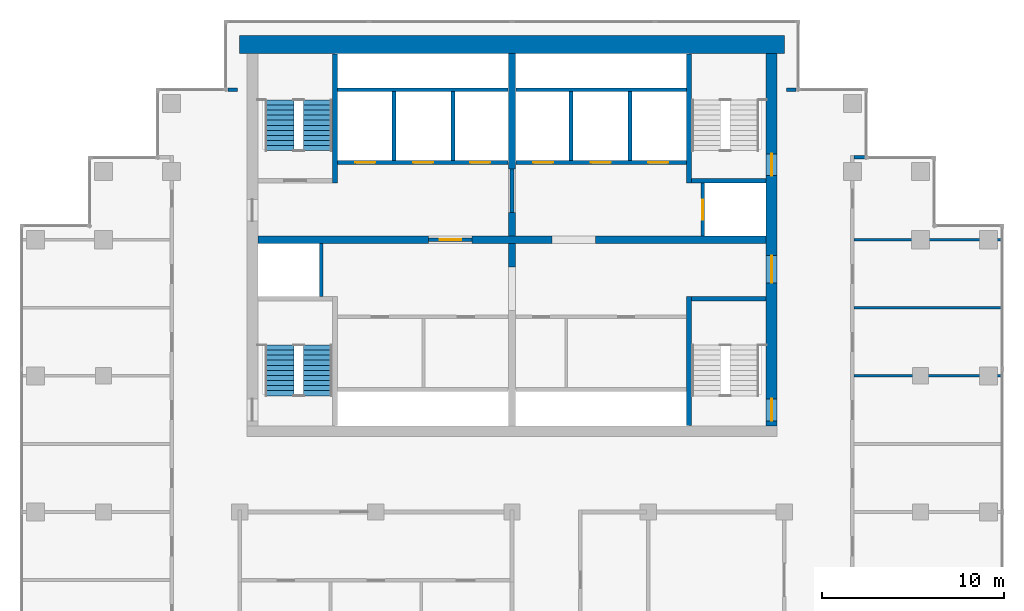
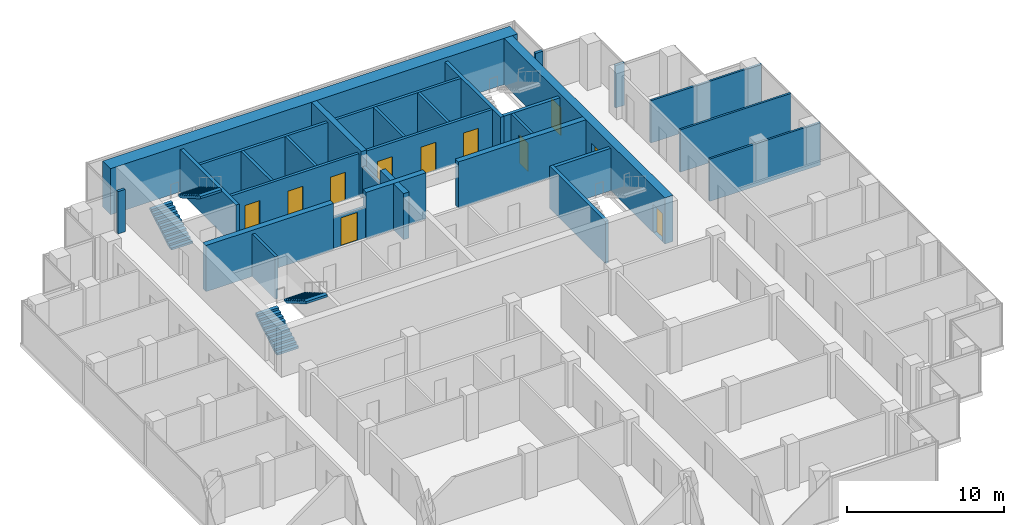
# One storey, part 10 of 12: 31 walls, 11 doors, 4 stair flights, 11 openings, 2 elements without a shape of their own.
"""IFC4 building model written with IfcOpenShell, lengths in metres."""

from ifc_helpers import new_model, si_unit, direction, frame, frame_2d, origin, place, context, subcontext, project, spatial, polyline, rectangle, outline, extrude, material, layer, layer_set, type_object, element, fill, aggregate, save


model = new_model("IFC4")

# Units and contexts
model_context = context("Model", 3, precision=1e-05, world=origin(), true_north=direction((0.0, 1.0)))
body_context = subcontext(model_context, "Body", "Model", "MODEL_VIEW")
ifc_project = project(units=[si_unit("LENGTHUNIT", "METRE"), si_unit("AREAUNIT", "SQUARE_METRE"), si_unit("VOLUMEUNIT", "CUBIC_METRE"), si_unit("PLANEANGLEUNIT", "RADIAN"), si_unit("MASSUNIT", "GRAM", prefix="KILO")], contexts=[model_context])

# Site, building, storey
site_placement = place(None, origin())
site = spatial("IfcSite", under=ifc_project, at=site_placement, CompositionType="ELEMENT")
building_placement = place(site_placement, origin())
building = spatial("IfcBuilding", under=site, at=building_placement, Name="Pilkhan Gate Tower", CompositionType="ELEMENT")
storey_placement = place(building_placement, frame((0.0, 0.0, 188.699951171875)))
storey = spatial("IfcBuildingStorey", under=building, at=storey_placement, Name="L48", CompositionType="ELEMENT", Elevation=188.699951171875)

# Wall
ifc_material_1 = material(Name="Concrete C50/60", Category="concrete")
ifc_layer_1 = layer(ifc_material_1, 1.0)
ifc_layer_set_1 = layer_set([ifc_layer_1], Name="Core wall CW1000 C50/60")
wall_type_1 = type_object("IfcWallType", Name="Core wall CW1000 C50/60", PredefinedType="SHEAR", material=ifc_layer_set_1)
wall_1_placement = place(storey_placement, frame((90.0, 93.25, 0.0), z_axis=(0.0, 0.0, 1.0), x_axis=(-1.0, 0.0, 0.0)))
element("IfcWall", 1, at=wall_1_placement, inside=storey, type_object=wall_type_1, Name="Core wall N L48", PredefinedType="SHEAR", context=body_context, shape_type="SweptSolid", body=[
    extrude(rectangle(XDim=30.0, YDim=1.0, at=frame_2d((15.0, 0.0))), origin(), (0.0, 0.0, 1.0), 3.60009765625),
])

# Wall, openings, doors
ifc_layer_2 = layer(ifc_material_1, 0.60009765625)
ifc_layer_set_2 = layer_set([ifc_layer_2], Name="Core wall CW600 C50/60")
wall_type_2 = type_object("IfcWallType", Name="Core wall CW600 C50/60", PredefinedType="SHEAR", material=ifc_layer_set_2)
wall_2_placement = place(storey_placement, frame((89.300048828125, 72.25, 0.0), z_axis=(0.0, 0.0, 1.0), x_axis=(0.0, 1.0, 0.0)))
wall_2 = element("IfcWall", 2, at=wall_2_placement, inside=storey, type_object=wall_type_2, Name="Core wall E L48", PredefinedType="SHEAR", context=body_context, shape_type="SweptSolid", body=[
    extrude(rectangle(XDim=20.5, YDim=0.60009765625, at=frame_2d((10.25, 0.0))), origin(), (0.0, 0.0, 1.0), 3.60009765625),
])
opening_1_placement = place(wall_2_placement, frame((0.27490234375, 0.0, 0.0)))
opening_1 = element("IfcOpeningElement", 3, at=opening_1_placement, cuts=wall_2, Name="Opening L48-03", PredefinedType="OPENING", context=body_context, shape_type="SweptSolid", body=[
    extrude(rectangle(XDim=1.199951171875, YDim=2.199951171875, at=frame_2d((0.60009765625, 1.10009765625))), frame((0.0, 0.31005859375, 0.0), z_axis=(0.0, -1.0, 0.0), x_axis=(1.0, 0.0, 0.0)), (0.0, 0.0, 1.0), 0.6201171875),
])
opening_2_placement = place(wall_2_placement, frame((13.77490234375, 0.0, 0.0)))
opening_2 = element("IfcOpeningElement", 4, at=opening_2_placement, cuts=wall_2, Name="Opening L48-05", PredefinedType="OPENING", context=body_context, shape_type="SweptSolid", body=[
    extrude(rectangle(XDim=1.199951171875, YDim=2.199951171875, at=frame_2d((0.60009765625, 1.10009765625))), frame((0.0, 0.31005859375, 0.0), z_axis=(0.0, -1.0, 0.0), x_axis=(1.0, 0.0, 0.0)), (0.0, 0.0, 1.0), 0.6201171875),
])
opening_3_placement = place(wall_2_placement, frame((7.875, 0.0, 0.0)))
opening_3 = element("IfcOpeningElement", 5, at=opening_3_placement, cuts=wall_2, Name="Opening L48-06", PredefinedType="OPENING", context=body_context, shape_type="SweptSolid", body=[
    extrude(rectangle(XDim=1.5, YDim=2.199951171875, at=frame_2d((0.75, 1.10009765625))), frame((0.0, 0.31005859375, 0.0), z_axis=(0.0, -1.0, 0.0), x_axis=(1.0, 0.0, 0.0)), (0.0, 0.0, 1.0), 0.6201171875),
])
ifc_material_2 = material(Name="Steel framed glazed door, 60 minute fire resisting", Category="steel")
door_type_1 = type_object("IfcDoorType", Name="Lobby door D09 1500x2200", OperationType="DOUBLE_DOOR_SINGLE_SWING", PredefinedType="DOOR", material=ifc_material_2)
door_1_placement = place(opening_3_placement, origin())
door_1 = element("IfcDoor", 6, at=door_1_placement, inside=storey, type_object=door_type_1, Name="Core door", OperationType="DOUBLE_DOOR_SINGLE_SWING", OverallHeight=2.199951171875, OverallWidth=1.5, PredefinedType="DOOR", context=body_context, shape_type="SweptSolid", body=[
    extrude(rectangle(XDim=1.5, YDim=2.199951171875, at=frame_2d((0.75, 1.10009765625))), frame((0.0, 0.02490234375, 0.0), z_axis=(0.0, -1.0, 0.0), x_axis=(1.0, 0.0, 0.0)), (0.0, 0.0, 1.0), 0.050048828125),
])
fill(opening_3, door_1)
ifc_material_3 = material(Name="Steel door, 120 minute fire resisting, panic bar", Category="steel")
door_type_2 = type_object("IfcDoorType", Name="Stair door D11 1200x2200", OperationType="SINGLE_SWING_LEFT", PredefinedType="DOOR", material=ifc_material_3)
door_2_placement = place(opening_1_placement, origin())
door_2 = element("IfcDoor", 7, at=door_2_placement, inside=storey, type_object=door_type_2, Name="Stair ST1 door", OperationType="SINGLE_SWING_RIGHT", OverallHeight=2.199951171875, OverallWidth=1.199951171875, PredefinedType="DOOR", context=body_context, shape_type="SweptSolid", body=[
    extrude(rectangle(XDim=1.199951171875, YDim=2.199951171875, at=frame_2d((0.60009765625, 1.10009765625))), frame((0.0, 0.02490234375, 0.0), z_axis=(0.0, -1.0, 0.0), x_axis=(1.0, 0.0, 0.0)), (0.0, 0.0, 1.0), 0.050048828125),
])
fill(opening_1, door_2)
door_3_placement = place(opening_2_placement, origin())
door_3 = element("IfcDoor", 8, at=door_3_placement, inside=storey, type_object=door_type_2, Name="Stair ST4 door", OperationType="SINGLE_SWING_LEFT", OverallHeight=2.199951171875, OverallWidth=1.199951171875, PredefinedType="DOOR", context=body_context, shape_type="SweptSolid", body=[
    extrude(rectangle(XDim=1.199951171875, YDim=2.199951171875, at=frame_2d((0.60009765625, 1.10009765625))), frame((0.0, 0.02490234375, 0.0), z_axis=(0.0, -1.0, 0.0), x_axis=(1.0, 0.0, 0.0)), (0.0, 0.0, 1.0), 0.050048828125),
])
fill(opening_2, door_3)

# Walls
ifc_material_4 = material(Name="Dense blockwork", Category="masonry")
ifc_layer_3 = layer(ifc_material_4, 0.199951171875)
ifc_layer_set_3 = layer_set([ifc_layer_3], Name="Corridor wall FW200")
wall_type_3 = type_object("IfcWallType", Name="Corridor wall FW200", PredefinedType="PARTITIONING", material=ifc_layer_set_3)
wall_3_placement = place(storey_placement, frame((93.85009765625, 87.030029296875, 0.0), z_axis=(0.0, 0.0, 1.0), x_axis=(1.0, 0.0, 0.0)))
element("IfcWall", 9, at=wall_3_placement, inside=storey, type_object=wall_type_3, Name="Partition L48", PredefinedType="PARTITIONING", context=body_context, shape_type="SweptSolid", body=[
    extrude(rectangle(XDim=0.664794921875, YDim=0.199951171875, at=frame_2d((0.33251953125, 0.0))), origin(), (0.0, 0.0, 1.0), 3.300048828125),
])
for number, where, z_axis, x_axis, name in (
    (10, (59.35498046875, 90.764892578125, 0.0), (0.0, 0.0, 1.0), (1.0, 0.0, 0.0), "Partition L48"),
    (11, (90.1201171875, 90.764892578125, 0.0), (0.0, 0.0, 1.0), (1.0, 0.0, 0.0), "Partition L48"),
):
    element("IfcWall", number, at=place(storey_placement, frame(where, z_axis=z_axis, x_axis=x_axis)), inside=storey, type_object=wall_type_3, Name=name, PredefinedType="PARTITIONING", context=body_context, shape_type="SweptSolid", body=[
        extrude(rectangle(XDim=0.52490234375, YDim=0.199951171875, at=frame_2d((0.262451171875, 0.0))), origin(), (0.0, 0.0, 1.0), 3.300048828125),
    ])

# Wall, opening, door
ifc_layer_4 = layer(ifc_material_4, 0.199951171875)
ifc_layer_set_4 = layer_set([ifc_layer_4], Name="Lobby wall LW200")
wall_type_4 = type_object("IfcWallType", Name="Lobby wall LW200", PredefinedType="PARTITIONING", material=ifc_layer_set_4)
wall_4_placement = place(storey_placement, frame((70.409912109375, 82.5, 0.0), z_axis=(0.0, 0.0, 1.0), x_axis=(1.0, 0.0, 0.0)))
wall_4 = element("IfcWall", 12, at=wall_4_placement, inside=storey, type_object=wall_type_4, Name="Partition L48", PredefinedType="PARTITIONING", context=body_context, shape_type="SweptSolid", body=[
    extrude(rectangle(XDim=2.380126953125, YDim=0.199951171875, at=frame_2d((1.18994140625, 0.0))), origin(), (0.0, 0.0, 1.0), 2.400146484375),
])
opening_4_placement = place(wall_4_placement, frame((0.60009765625, 0.0, 0.0)))
opening_4 = element("IfcOpeningElement", 13, at=opening_4_placement, cuts=wall_4, Name="Opening L48-01", PredefinedType="OPENING", context=body_context, shape_type="SweptSolid", body=[
    extrude(rectangle(XDim=1.199951171875, YDim=2.199951171875, at=frame_2d((0.60009765625, 1.10009765625))), frame((0.0, 0.10986328125, 0.0), z_axis=(0.0, -1.0, 0.0), x_axis=(1.0, 0.0, 0.0)), (0.0, 0.0, 1.0), 0.219970703125),
])
ifc_material_5 = material(Name="Steel door, 120 minute fire resisting, self-closing", Category="steel")
door_type_3 = type_object("IfcDoorType", Name="Firefighting lobby door D10 1200x2200", OperationType="SINGLE_SWING_LEFT", PredefinedType="DOOR", material=ifc_material_5)
door_4_placement = place(opening_4_placement, origin())
door_4 = element("IfcDoor", 14, at=door_4_placement, inside=storey, type_object=door_type_3, Name="Firefighting lobby door", OperationType="SINGLE_SWING_RIGHT", OverallHeight=2.199951171875, OverallWidth=1.199951171875, PredefinedType="DOOR", context=body_context, shape_type="SweptSolid", body=[
    extrude(rectangle(XDim=1.199951171875, YDim=2.199951171875, at=frame_2d((0.60009765625, 1.10009765625))), frame((0.0, 0.02490234375, 0.0), z_axis=(0.0, -1.0, 0.0), x_axis=(1.0, 0.0, 0.0)), (0.0, 0.0, 1.0), 0.050048828125),
])
fill(opening_4, door_4)

# Walls
wall_5_placement = place(storey_placement, frame((75.0, 84.010009765625, 0.0), z_axis=(0.0, 0.0, 1.0), x_axis=(0.0, 1.0, 0.0)))
element("IfcWall", 15, at=wall_5_placement, inside=storey, type_object=wall_type_4, Name="Partition L48", PredefinedType="PARTITIONING", context=body_context, shape_type="SweptSolid", body=[
    extrude(rectangle(XDim=2.3798828125, YDim=0.199951171875, at=frame_2d((1.18994140625, 0.0))), origin(), (0.0, 0.0, 1.0), 2.400146484375),
])
ifc_material_6 = material(Name="Blockwork partition, plastered both sides", Category="masonry")
ifc_layer_5 = layer(ifc_material_6, 0.14990234375)
ifc_layer_set_5 = layer_set([ifc_layer_5], Name="Partition PW150")
wall_type_5 = type_object("IfcWallType", Name="Partition PW150", PredefinedType="PARTITIONING", material=ifc_layer_set_5)
for number, where, z_axis, x_axis, name in (
    (16, (93.85009765625, 75.0, 0.0), (0.0, 0.0, 1.0), (1.0, 0.0, 0.0), "Partition L48"),
    (17, (93.85009765625, 78.75, 0.0), (0.0, 0.0, 1.0), (1.0, 0.0, 0.0), "Partition L48"),
    (18, (93.85009765625, 82.5, 0.0), (0.0, 0.0, 1.0), (1.0, 0.0, 0.0), "Partition L48"),
):
    element("IfcWall", number, at=place(storey_placement, frame(where, z_axis=z_axis, x_axis=x_axis)), inside=storey, type_object=wall_type_5, Name=name, PredefinedType="PARTITIONING", context=body_context, shape_type="SweptSolid", body=[
        extrude(rectangle(XDim=8.164794921875, YDim=0.14990234375, at=frame_2d((4.08251953125, 0.0))), origin(), (0.0, 0.0, 1.0), 3.300048828125),
    ])

# Wall, openings, doors
ifc_material_7 = material(Name="Reinforced blockwork shaft wall, 120 minute fire resisting", Category="masonry")
ifc_layer_6 = layer(ifc_material_7, 0.199951171875)
ifc_layer_set_6 = layer_set([ifc_layer_6], Name="Shaft wall SW200")
wall_type_6 = type_object("IfcWallType", Name="Shaft wall SW200", PredefinedType="PARTITIONING", material=ifc_layer_set_6)
wall_6_placement = place(storey_placement, frame((65.375, 86.75, 0.0), z_axis=(0.0, 0.0, 1.0), x_axis=(1.0, 0.0, 0.0)))
wall_6 = element("IfcWall", 19, at=wall_6_placement, inside=storey, type_object=wall_type_6, Name="Partition L48", PredefinedType="PARTITIONING", context=body_context, shape_type="SweptSolid", body=[
    extrude(rectangle(XDim=9.4150390625, YDim=0.199951171875, at=frame_2d((4.70751953125, 0.0))), origin(), (0.0, 0.0, 1.0), 3.300048828125),
])
opening_5_placement = place(wall_6_placement, frame((1.0, 0.0, 0.0)))
opening_5 = element("IfcOpeningElement", 20, at=opening_5_placement, cuts=wall_6, Name="Opening LD", PredefinedType="OPENING", context=body_context, shape_type="SweptSolid", body=[
    extrude(rectangle(XDim=1.10009765625, YDim=2.199951171875, at=frame_2d((0.550048828125, 1.10009765625))), frame((0.0, 0.10986328125, 0.0), z_axis=(0.0, -1.0, 0.0), x_axis=(1.0, 0.0, 0.0)), (0.0, 0.0, 1.0), 0.219970703125),
])
opening_6_placement = place(wall_6_placement, frame((4.175048828125, 0.0, 0.0)))
opening_6 = element("IfcOpeningElement", 21, at=opening_6_placement, cuts=wall_6, Name="Opening LD", PredefinedType="OPENING", context=body_context, shape_type="SweptSolid", body=[
    extrude(rectangle(XDim=1.10009765625, YDim=2.199951171875, at=frame_2d((0.550048828125, 1.10009765625))), frame((0.0, 0.10986328125, 0.0), z_axis=(0.0, -1.0, 0.0), x_axis=(1.0, 0.0, 0.0)), (0.0, 0.0, 1.0), 0.219970703125),
])
opening_7_placement = place(wall_6_placement, frame((7.324951171875, 0.0, 0.0)))
opening_7 = element("IfcOpeningElement", 22, at=opening_7_placement, cuts=wall_6, Name="Opening LD", PredefinedType="OPENING", context=body_context, shape_type="SweptSolid", body=[
    extrude(rectangle(XDim=1.10009765625, YDim=2.199951171875, at=frame_2d((0.550048828125, 1.10009765625))), frame((0.0, 0.10986328125, 0.0), z_axis=(0.0, -1.0, 0.0), x_axis=(1.0, 0.0, 0.0)), (0.0, 0.0, 1.0), 0.219970703125),
])
ifc_material_8 = material(Name="Stainless steel centre-opening landing door, 120 minute fire resisting", Category="steel")
door_type_4 = type_object("IfcDoorType", Name="Lift landing door LD 1100x2200", OperationType="DOUBLE_DOOR_SLIDING", PredefinedType="DOOR", material=ifc_material_8)
door_5_placement = place(opening_5_placement, origin())
door_5 = element("IfcDoor", 23, at=door_5_placement, inside=storey, type_object=door_type_4, Name="Landing door FF1", OperationType="DOUBLE_DOOR_SLIDING", OverallHeight=2.199951171875, OverallWidth=1.10009765625, PredefinedType="DOOR", context=body_context, shape_type="SweptSolid", body=[
    extrude(rectangle(XDim=1.10009765625, YDim=2.199951171875, at=frame_2d((0.550048828125, 1.10009765625))), frame((0.0, 0.02490234375, 0.0), z_axis=(0.0, -1.0, 0.0), x_axis=(1.0, 0.0, 0.0)), (0.0, 0.0, 1.0), 0.050048828125),
])
fill(opening_5, door_5)
door_6_placement = place(opening_6_placement, origin())
door_6 = element("IfcDoor", 24, at=door_6_placement, inside=storey, type_object=door_type_4, Name="Landing door FF2", OperationType="DOUBLE_DOOR_SLIDING", OverallHeight=2.199951171875, OverallWidth=1.10009765625, PredefinedType="DOOR", context=body_context, shape_type="SweptSolid", body=[
    extrude(rectangle(XDim=1.10009765625, YDim=2.199951171875, at=frame_2d((0.550048828125, 1.10009765625))), frame((0.0, 0.02490234375, 0.0), z_axis=(0.0, -1.0, 0.0), x_axis=(1.0, 0.0, 0.0)), (0.0, 0.0, 1.0), 0.050048828125),
])
fill(opening_6, door_6)
door_7_placement = place(opening_7_placement, origin())
door_7 = element("IfcDoor", 25, at=door_7_placement, inside=storey, type_object=door_type_4, Name="Landing door SV1", OperationType="DOUBLE_DOOR_SLIDING", OverallHeight=2.199951171875, OverallWidth=1.10009765625, PredefinedType="DOOR", context=body_context, shape_type="SweptSolid", body=[
    extrude(rectangle(XDim=1.10009765625, YDim=2.199951171875, at=frame_2d((0.550048828125, 1.10009765625))), frame((0.0, 0.02490234375, 0.0), z_axis=(0.0, -1.0, 0.0), x_axis=(1.0, 0.0, 0.0)), (0.0, 0.0, 1.0), 0.050048828125),
])
fill(opening_7, door_7)

wall_7_placement = place(storey_placement, frame((75.2099609375, 86.75, 0.0), z_axis=(0.0, 0.0, 1.0), x_axis=(1.0, 0.0, 0.0)))
wall_7 = element("IfcWall", 26, at=wall_7_placement, inside=storey, type_object=wall_type_6, Name="Partition L48", PredefinedType="PARTITIONING", context=body_context, shape_type="SweptSolid", body=[
    extrude(rectangle(XDim=9.4150390625, YDim=0.199951171875, at=frame_2d((4.70751953125, 0.0))), origin(), (0.0, 0.0, 1.0), 3.300048828125),
])
opening_8_placement = place(wall_7_placement, frame((0.949951171875, 0.0, 0.0)))
opening_8 = element("IfcOpeningElement", 27, at=opening_8_placement, cuts=wall_7, Name="Opening LD", PredefinedType="OPENING", context=body_context, shape_type="SweptSolid", body=[
    extrude(rectangle(XDim=1.10009765625, YDim=2.199951171875, at=frame_2d((0.550048828125, 1.10009765625))), frame((0.0, 0.10986328125, 0.0), z_axis=(0.0, -1.0, 0.0), x_axis=(1.0, 0.0, 0.0)), (0.0, 0.0, 1.0), 0.219970703125),
])
opening_9_placement = place(wall_7_placement, frame((4.139892578125, 0.0, 0.0)))
opening_9 = element("IfcOpeningElement", 28, at=opening_9_placement, cuts=wall_7, Name="Opening LD", PredefinedType="OPENING", context=body_context, shape_type="SweptSolid", body=[
    extrude(rectangle(XDim=1.10009765625, YDim=2.199951171875, at=frame_2d((0.550048828125, 1.10009765625))), frame((0.0, 0.10986328125, 0.0), z_axis=(0.0, -1.0, 0.0), x_axis=(1.0, 0.0, 0.0)), (0.0, 0.0, 1.0), 0.219970703125),
])
opening_10_placement = place(wall_7_placement, frame((7.2900390625, 0.0, 0.0)))
opening_10 = element("IfcOpeningElement", 29, at=opening_10_placement, cuts=wall_7, Name="Opening LD", PredefinedType="OPENING", context=body_context, shape_type="SweptSolid", body=[
    extrude(rectangle(XDim=1.10009765625, YDim=2.199951171875, at=frame_2d((0.550048828125, 1.10009765625))), frame((0.0, 0.10986328125, 0.0), z_axis=(0.0, -1.0, 0.0), x_axis=(1.0, 0.0, 0.0)), (0.0, 0.0, 1.0), 0.219970703125),
])
door_8_placement = place(opening_8_placement, origin())
door_8 = element("IfcDoor", 30, at=door_8_placement, inside=storey, type_object=door_type_4, Name="Landing door HR1", OperationType="DOUBLE_DOOR_SLIDING", OverallHeight=2.199951171875, OverallWidth=1.10009765625, PredefinedType="DOOR", context=body_context, shape_type="SweptSolid", body=[
    extrude(rectangle(XDim=1.10009765625, YDim=2.199951171875, at=frame_2d((0.550048828125, 1.10009765625))), frame((0.0, 0.02490234375, 0.0), z_axis=(0.0, -1.0, 0.0), x_axis=(1.0, 0.0, 0.0)), (0.0, 0.0, 1.0), 0.050048828125),
])
fill(opening_8, door_8)
door_9_placement = place(opening_9_placement, origin())
door_9 = element("IfcDoor", 31, at=door_9_placement, inside=storey, type_object=door_type_4, Name="Landing door HR2", OperationType="DOUBLE_DOOR_SLIDING", OverallHeight=2.199951171875, OverallWidth=1.10009765625, PredefinedType="DOOR", context=body_context, shape_type="SweptSolid", body=[
    extrude(rectangle(XDim=1.10009765625, YDim=2.199951171875, at=frame_2d((0.550048828125, 1.10009765625))), frame((0.0, 0.02490234375, 0.0), z_axis=(0.0, -1.0, 0.0), x_axis=(1.0, 0.0, 0.0)), (0.0, 0.0, 1.0), 0.050048828125),
])
fill(opening_9, door_9)
door_10_placement = place(opening_10_placement, origin())
door_10 = element("IfcDoor", 32, at=door_10_placement, inside=storey, type_object=door_type_4, Name="Landing door HR3", OperationType="DOUBLE_DOOR_SLIDING", OverallHeight=2.199951171875, OverallWidth=1.10009765625, PredefinedType="DOOR", context=body_context, shape_type="SweptSolid", body=[
    extrude(rectangle(XDim=1.10009765625, YDim=2.199951171875, at=frame_2d((0.550048828125, 1.10009765625))), frame((0.0, 0.02490234375, 0.0), z_axis=(0.0, -1.0, 0.0), x_axis=(1.0, 0.0, 0.0)), (0.0, 0.0, 1.0), 0.050048828125),
])
fill(opening_10, door_10)

# Walls
for number, where, z_axis, x_axis, name in (
    (33, (65.375, 90.75, 0.0), (0.0, 0.0, 1.0), (1.0, 0.0, 0.0), "Partition L48"),
    (34, (75.2099609375, 90.75, 0.0), (0.0, 0.0, 1.0), (1.0, 0.0, 0.0), "Partition L48"),
):
    element("IfcWall", number, at=place(storey_placement, frame(where, z_axis=z_axis, x_axis=x_axis)), inside=storey, type_object=wall_type_6, Name=name, PredefinedType="PARTITIONING", context=body_context, shape_type="SweptSolid", body=[
        extrude(rectangle(XDim=9.4150390625, YDim=0.199951171875, at=frame_2d((4.70751953125, 0.0))), origin(), (0.0, 0.0, 1.0), 3.300048828125),
    ])
wall_8_placement = place(storey_placement, frame((64.5, 79.375, 0.0), z_axis=(0.0, 0.0, 1.0), x_axis=(0.0, 1.0, 0.0)))
element("IfcWall", 35, at=wall_8_placement, inside=storey, type_object=wall_type_6, Name="Partition L48", PredefinedType="PARTITIONING", context=body_context, shape_type="SweptSolid", body=[
    extrude(rectangle(XDim=2.9150390625, YDim=0.199951171875, at=frame_2d((1.45751953125, 0.0))), origin(), (0.0, 0.0, 1.0), 3.300048828125),
])
for number, where, z_axis, x_axis, name in (
    (36, (68.5, 86.85009765625, 0.0), (0.0, 0.0, 1.0), (0.0, 1.0, 0.0), "Partition L48"),
    (37, (71.75, 86.85009765625, 0.0), (0.0, 0.0, 1.0), (0.0, 1.0, 0.0), "Partition L48"),
    (38, (78.25, 86.85009765625, 0.0), (0.0, 0.0, 1.0), (0.0, 1.0, 0.0), "Partition L48"),
    (39, (81.5, 86.85009765625, 0.0), (0.0, 0.0, 1.0), (0.0, 1.0, 0.0), "Partition L48"),
):
    element("IfcWall", number, at=place(storey_placement, frame(where, z_axis=z_axis, x_axis=x_axis)), inside=storey, type_object=wall_type_6, Name=name, PredefinedType="PARTITIONING", context=body_context, shape_type="SweptSolid", body=[
        extrude(rectangle(XDim=3.7998046875, YDim=0.199951171875, at=frame_2d((1.89990234375, 0.0))), origin(), (0.0, 0.0, 1.0), 3.300048828125),
    ])

# Wall, opening, door
wall_9_placement = place(storey_placement, frame((85.5, 82.7099609375, 0.0), z_axis=(0.0, 0.0, 1.0), x_axis=(0.0, 1.0, 0.0)))
wall_9 = element("IfcWall", 40, at=wall_9_placement, inside=storey, type_object=wall_type_6, Name="Partition L48", PredefinedType="PARTITIONING", context=body_context, shape_type="SweptSolid", body=[
    extrude(rectangle(XDim=2.9150390625, YDim=0.199951171875, at=frame_2d((1.45751953125, 0.0))), origin(), (0.0, 0.0, 1.0), 3.300048828125),
])
opening_11_placement = place(wall_9_placement, frame((0.89990234375, 0.0, 0.0)))
opening_11 = element("IfcOpeningElement", 41, at=opening_11_placement, cuts=wall_9, Name="Opening LD", PredefinedType="OPENING", context=body_context, shape_type="SweptSolid", body=[
    extrude(rectangle(XDim=1.10009765625, YDim=2.199951171875, at=frame_2d((0.550048828125, 1.10009765625))), frame((0.0, 0.10986328125, 0.0), z_axis=(0.0, -1.0, 0.0), x_axis=(1.0, 0.0, 0.0)), (0.0, 0.0, 1.0), 0.219970703125),
])
door_11_placement = place(opening_11_placement, origin())
door_11 = element("IfcDoor", 42, at=door_11_placement, inside=storey, type_object=door_type_4, Name="Landing door HR4", OperationType="DOUBLE_DOOR_SLIDING", OverallHeight=2.199951171875, OverallWidth=1.10009765625, PredefinedType="DOOR", context=body_context, shape_type="SweptSolid", body=[
    extrude(rectangle(XDim=1.10009765625, YDim=2.199951171875, at=frame_2d((0.550048828125, 1.10009765625))), frame((0.0, 0.02490234375, 0.0), z_axis=(0.0, -1.0, 0.0), x_axis=(1.0, 0.0, 0.0)), (0.0, 0.0, 1.0), 0.050048828125),
])
fill(opening_11, door_11)

# Walls
ifc_layer_7 = layer(ifc_material_1, 0.39990234375)
ifc_layer_set_7 = layer_set([ifc_layer_7], Name="Spine wall SW400 C50/60")
wall_type_7 = type_object("IfcWallType", Name="Spine wall SW400 C50/60", PredefinedType="SHEAR", material=ifc_layer_set_7)
wall_10_placement = place(storey_placement, frame((61.0, 82.5, 0.0), z_axis=(0.0, 0.0, 1.0), x_axis=(1.0, 0.0, 0.0)))
element("IfcWall", 43, at=wall_10_placement, inside=storey, type_object=wall_type_7, Name="Spine wall SP-EW1 L48", PredefinedType="SHEAR", context=body_context, shape_type="SweptSolid", body=[
    extrude(rectangle(XDim=9.39990234375, YDim=0.39990234375, at=frame_2d((4.699951171875, 0.0))), origin(), (0.0, 0.0, 1.0), 3.60009765625),
])
wall_11_placement = place(storey_placement, frame((72.800048828125, 82.5, 0.0), z_axis=(0.0, 0.0, 1.0), x_axis=(1.0, 0.0, 0.0)))
element("IfcWall", 44, at=wall_11_placement, inside=storey, type_object=wall_type_7, Name="Spine wall SP-EW2 L48", PredefinedType="SHEAR", context=body_context, shape_type="SweptSolid", body=[
    extrude(rectangle(XDim=4.39990234375, YDim=0.39990234375, at=frame_2d((2.199951171875, 0.0))), origin(), (0.0, 0.0, 1.0), 3.60009765625),
])
wall_12_placement = place(storey_placement, frame((79.60009765625, 82.5, 0.0), z_axis=(0.0, 0.0, 1.0), x_axis=(1.0, 0.0, 0.0)))
element("IfcWall", 45, at=wall_12_placement, inside=storey, type_object=wall_type_7, Name="Spine wall SP-EW3 L48", PredefinedType="SHEAR", context=body_context, shape_type="SweptSolid", body=[
    extrude(rectangle(XDim=9.39990234375, YDim=0.39990234375, at=frame_2d((4.699951171875, 0.0))), origin(), (0.0, 0.0, 1.0), 3.60009765625),
])
for number, where, z_axis, x_axis, name in (
    (46, (75.0, 81.0, 0.0), (0.0, 0.0, 1.0), (0.0, 1.0, 0.0), "Spine wall SP-NS-S2 L48"),
    (47, (75.0, 82.699951171875, 0.0), (0.0, 0.0, 1.0), (0.0, 1.0, 0.0), "Spine wall SP-NS-N1 L48"),
):
    element("IfcWall", number, at=place(storey_placement, frame(where, z_axis=z_axis, x_axis=x_axis)), inside=storey, type_object=wall_type_7, Name=name, PredefinedType="SHEAR", context=body_context, shape_type="SweptSolid", body=[
        extrude(rectangle(XDim=1.300048828125, YDim=0.39990234375, at=frame_2d((0.64990234375, 0.0))), origin(), (0.0, 0.0, 1.0), 3.60009765625),
    ])
wall_13_placement = place(storey_placement, frame((75.0, 86.39990234375, 0.0), z_axis=(0.0, 0.0, 1.0), x_axis=(0.0, 1.0, 0.0)))
element("IfcWall", 48, at=wall_13_placement, inside=storey, type_object=wall_type_7, Name="Spine wall SP-NS-N2 L48", PredefinedType="SHEAR", context=body_context, shape_type="SweptSolid", body=[
    extrude(rectangle(XDim=6.35009765625, YDim=0.39990234375, at=frame_2d((3.175048828125, 0.0))), origin(), (0.0, 0.0, 1.0), 3.60009765625),
])
ifc_material_9 = material(Name="Reinforced blockwork, 120 minute fire resisting", Category="masonry")
ifc_layer_8 = layer(ifc_material_9, 0.25)
ifc_layer_set_8 = layer_set([ifc_layer_8], Name="Stair enclosure wall SE250")
wall_type_8 = type_object("IfcWallType", Name="Stair enclosure wall SE250", PredefinedType="PARTITIONING", material=ifc_layer_set_8)
for number, where, z_axis, x_axis, name in (
    (49, (84.875, 79.25, 0.0), (0.0, 0.0, 1.0), (1.0, 0.0, 0.0), "Partition L48"),
    (50, (84.875, 85.75, 0.0), (0.0, 0.0, 1.0), (1.0, 0.0, 0.0), "Partition L48"),
):
    element("IfcWall", number, at=place(storey_placement, frame(where, z_axis=z_axis, x_axis=x_axis)), inside=storey, type_object=wall_type_8, Name=name, PredefinedType="PARTITIONING", context=body_context, shape_type="SweptSolid", body=[
        extrude(rectangle(XDim=4.114990234375, YDim=0.25, at=frame_2d((2.0576171875, 0.0))), origin(), (0.0, 0.0, 1.0), 3.300048828125),
    ])
for number, where, z_axis, x_axis, name in (
    (51, (65.25, 85.625, 0.0), (0.0, 0.0, 1.0), (0.0, 1.0, 0.0), "Partition L48"),
    (52, (84.75, 72.260009765625, 0.0), (0.0, 0.0, 1.0), (0.0, 1.0, 0.0), "Partition L48"),
    (53, (84.75, 85.625, 0.0), (0.0, 0.0, 1.0), (0.0, 1.0, 0.0), "Partition L48"),
):
    element("IfcWall", number, at=place(storey_placement, frame(where, z_axis=z_axis, x_axis=x_axis)), inside=storey, type_object=wall_type_8, Name=name, PredefinedType="PARTITIONING", context=body_context, shape_type="SweptSolid", body=[
        extrude(rectangle(XDim=7.114990234375, YDim=0.25, at=frame_2d((3.5576171875, 0.0))), origin(), (0.0, 0.0, 1.0), 3.300048828125),
    ])

# Stair, stair flights
ifc_material_10 = material(Name="Concrete C40/50 precast", Category="concrete")
stair_type_1 = type_object("IfcStairType", Name="Stair ST2 164x280", PredefinedType="HALF_TURN_STAIR", material=ifc_material_10)
stair_1_placement = place(storey_placement, origin())
stair_1 = element("IfcStair", 54, at=stair_1_placement, inside=storey, type_object=stair_type_1, Name="Stair ST2 L48", PredefinedType="HALF_TURN_STAIR")
stair_flight_type_1 = type_object("IfcStairFlightType", Name="Stair flight ST2 164x280x11", PredefinedType="STRAIGHT", material=ifc_material_10)
stair_flight_1_placement = place(storey_placement, frame((62.18994140625, 73.89990234375, 0.0), z_axis=(0.0, 0.0, 1.0), x_axis=(0.0, 1.0, 0.0)))
stair_flight_1 = element("IfcStairFlight", 55, at=stair_flight_1_placement, type_object=stair_flight_type_1, Name="ST2 flight 1", NumberOfRisers=11, NumberOfTreads=10, PredefinedType="STRAIGHT", RiserHeight=0.163636364, TreadLength=0.28, context=body_context, shape_type="SweptSolid", body=[
    extrude(outline(polyline([(0.0, 0.0), (0.0, 0.16357421875), (0.280029296875, 0.16357421875), (0.280029296875, 0.327392578125), (0.56005859375, 0.327392578125), (0.56005859375, 0.490966796875), (0.840087890625, 0.490966796875), (0.840087890625, 0.654541015625), (1.1201171875, 0.654541015625), (1.1201171875, 0.818115234375), (1.39990234375, 0.818115234375), (1.39990234375, 0.98193359375), (1.679931640625, 0.98193359375), (1.679931640625, 1.1455078125), (1.9599609375, 1.1455078125), (1.9599609375, 1.30908203125), (2.239990234375, 1.30908203125), (2.239990234375, 1.47265625), (2.52001953125, 1.47265625), (2.52001953125, 1.636474609375), (2.800048828125, 1.636474609375), (2.800048828125, 1.800048828125), (2.800048828125, 1.462646484375), (0.297119140625, 0.0), (0.0, 0.0)])), frame((0.0, 0.7900390625, 0.0), z_axis=(0.0, -1.0, 0.0), x_axis=(1.0, 0.0, 0.0)), (0.0, 0.0, 1.0), 1.580078125),
])
stair_flight_2_placement = place(storey_placement, frame((64.31005859375, 76.699951171875, 1.800048828125), z_axis=(0.0, 0.0, 1.0), x_axis=(0.0, -1.0, 0.0)))
stair_flight_2 = element("IfcStairFlight", 56, at=stair_flight_2_placement, type_object=stair_flight_type_1, Name="ST2 flight 2", NumberOfRisers=11, NumberOfTreads=10, PredefinedType="STRAIGHT", RiserHeight=0.163636364, TreadLength=0.28, context=body_context, shape_type="SweptSolid", body=[
    extrude(outline(polyline([(0.0, 0.0), (0.0, 0.16357421875), (0.280029296875, 0.16357421875), (0.280029296875, 0.327392578125), (0.56005859375, 0.327392578125), (0.56005859375, 0.490966796875), (0.840087890625, 0.490966796875), (0.840087890625, 0.654541015625), (1.1201171875, 0.654541015625), (1.1201171875, 0.818115234375), (1.39990234375, 0.818115234375), (1.39990234375, 0.98193359375), (1.679931640625, 0.98193359375), (1.679931640625, 1.1455078125), (1.9599609375, 1.1455078125), (1.9599609375, 1.30908203125), (2.239990234375, 1.30908203125), (2.239990234375, 1.47265625), (2.52001953125, 1.47265625), (2.52001953125, 1.636474609375), (2.800048828125, 1.636474609375), (2.800048828125, 1.800048828125), (2.800048828125, 1.462646484375), (0.297119140625, 0.0), (0.0, 0.0)])), frame((0.0, 0.7900390625, 0.0), z_axis=(0.0, -1.0, 0.0), x_axis=(1.0, 0.0, 0.0)), (0.0, 0.0, 1.0), 1.580078125),
])
aggregate(stair_1, [stair_flight_1, stair_flight_2])

stair_type_2 = type_object("IfcStairType", Name="Stair ST3 164x280", PredefinedType="HALF_TURN_STAIR", material=ifc_material_10)
stair_2_placement = place(storey_placement, origin())
stair_2 = element("IfcStair", 57, at=stair_2_placement, inside=storey, type_object=stair_type_2, Name="Stair ST3 L48", PredefinedType="HALF_TURN_STAIR")
stair_flight_type_2 = type_object("IfcStairFlightType", Name="Stair flight ST3 164x280x11", PredefinedType="STRAIGHT", material=ifc_material_10)
stair_flight_3_placement = place(storey_placement, frame((62.18994140625, 87.39990234375, 0.0), z_axis=(0.0, 0.0, 1.0), x_axis=(0.0, 1.0, 0.0)))
stair_flight_3 = element("IfcStairFlight", 58, at=stair_flight_3_placement, type_object=stair_flight_type_2, Name="ST3 flight 1", NumberOfRisers=11, NumberOfTreads=10, PredefinedType="STRAIGHT", RiserHeight=0.163636364, TreadLength=0.28, context=body_context, shape_type="SweptSolid", body=[
    extrude(outline(polyline([(0.0, 0.0), (0.0, 0.16357421875), (0.280029296875, 0.16357421875), (0.280029296875, 0.327392578125), (0.56005859375, 0.327392578125), (0.56005859375, 0.490966796875), (0.840087890625, 0.490966796875), (0.840087890625, 0.654541015625), (1.1201171875, 0.654541015625), (1.1201171875, 0.818115234375), (1.39990234375, 0.818115234375), (1.39990234375, 0.98193359375), (1.679931640625, 0.98193359375), (1.679931640625, 1.1455078125), (1.9599609375, 1.1455078125), (1.9599609375, 1.30908203125), (2.239990234375, 1.30908203125), (2.239990234375, 1.47265625), (2.52001953125, 1.47265625), (2.52001953125, 1.636474609375), (2.800048828125, 1.636474609375), (2.800048828125, 1.800048828125), (2.800048828125, 1.462646484375), (0.297119140625, 0.0), (0.0, 0.0)])), frame((0.0, 0.7900390625, 0.0), z_axis=(0.0, -1.0, 0.0), x_axis=(1.0, 0.0, 0.0)), (0.0, 0.0, 1.0), 1.580078125),
])
stair_flight_4_placement = place(storey_placement, frame((64.31005859375, 90.199951171875, 1.800048828125), z_axis=(0.0, 0.0, 1.0), x_axis=(0.0, -1.0, 0.0)))
stair_flight_4 = element("IfcStairFlight", 59, at=stair_flight_4_placement, type_object=stair_flight_type_2, Name="ST3 flight 2", NumberOfRisers=11, NumberOfTreads=10, PredefinedType="STRAIGHT", RiserHeight=0.163636364, TreadLength=0.28, context=body_context, shape_type="SweptSolid", body=[
    extrude(outline(polyline([(0.0, 0.0), (0.0, 0.16357421875), (0.280029296875, 0.16357421875), (0.280029296875, 0.327392578125), (0.56005859375, 0.327392578125), (0.56005859375, 0.490966796875), (0.840087890625, 0.490966796875), (0.840087890625, 0.654541015625), (1.1201171875, 0.654541015625), (1.1201171875, 0.818115234375), (1.39990234375, 0.818115234375), (1.39990234375, 0.98193359375), (1.679931640625, 0.98193359375), (1.679931640625, 1.1455078125), (1.9599609375, 1.1455078125), (1.9599609375, 1.30908203125), (2.239990234375, 1.30908203125), (2.239990234375, 1.47265625), (2.52001953125, 1.47265625), (2.52001953125, 1.636474609375), (2.800048828125, 1.636474609375), (2.800048828125, 1.800048828125), (2.800048828125, 1.462646484375), (0.297119140625, 0.0), (0.0, 0.0)])), frame((0.0, 0.7900390625, 0.0), z_axis=(0.0, -1.0, 0.0), x_axis=(1.0, 0.0, 0.0)), (0.0, 0.0, 1.0), 1.580078125),
])
aggregate(stair_2, [stair_flight_3, stair_flight_4])

save(model, "model.ifc")
